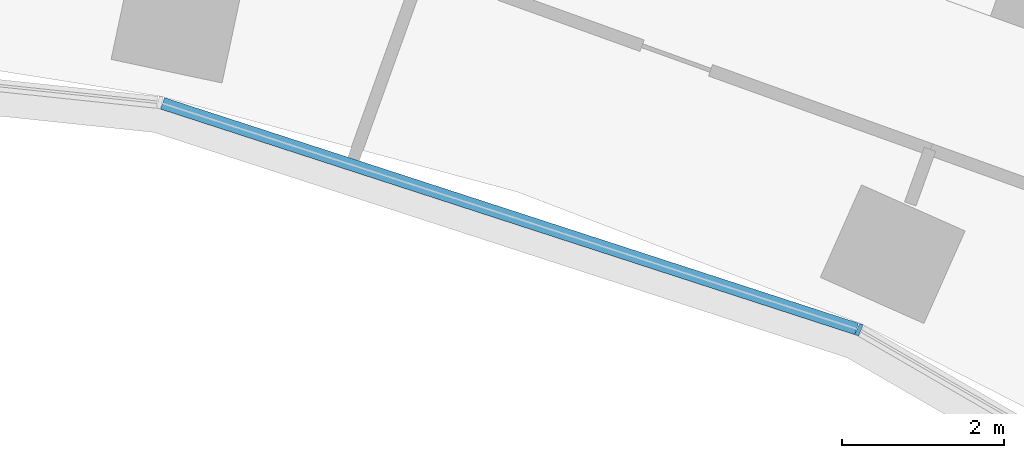
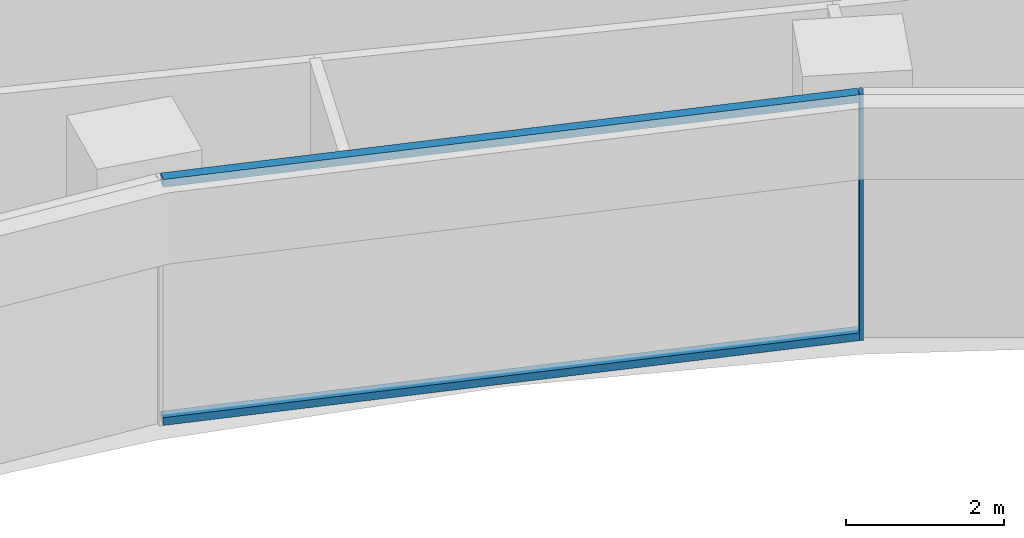
# One storey, part 11 of 25: 3 members, 1 element without a shape of its own.
"""IFC4 building model written with IfcOpenShell, lengths in metres."""

from ifc_helpers import new_model, si_unit, direction, frame, origin, origin_2d, place, context, subcontext, project, spatial, rectangle, extrude, material, layer, layer_set, material_profile, profile_set, type_object, element, aggregate, save


model = new_model("IFC4")

# Units and contexts
model_context = context("Model", 3, precision=1e-05, world=origin(), true_north=direction((0.0, 1.0)))
body_context = subcontext(model_context, "Body", "Model", "MODEL_VIEW")
ifc_project = project(units=[si_unit("LENGTHUNIT", "METRE"), si_unit("AREAUNIT", "SQUARE_METRE"), si_unit("VOLUMEUNIT", "CUBIC_METRE"), si_unit("PLANEANGLEUNIT", "RADIAN"), si_unit("MASSUNIT", "GRAM", prefix="KILO")], contexts=[model_context])

# Site, building, storey
site_placement = place(None, origin())
site = spatial("IfcSite", under=ifc_project, at=site_placement, CompositionType="ELEMENT")
building_placement = place(site_placement, origin())
building = spatial("IfcBuilding", under=site, at=building_placement, Name="Stone Belt Terrace Tower", CompositionType="ELEMENT")
storey_placement = place(building_placement, frame((0.0, 0.0, 52.800048828125)))
storey = spatial("IfcBuildingStorey", under=building, at=storey_placement, Name="L12", CompositionType="ELEMENT", Elevation=52.800048828125)

# Curtain wall, members
ifc_material = material(Name="Aluminium 6063-T6 anodised frame", Category="aluminium")
ifc_layer = layer(ifc_material, 0.14990234375)
ifc_layer_set = layer_set([ifc_layer], Name="CW-B unitised concave-face curtain wall")
curtain_wall_type = type_object("IfcCurtainWallType", Name="CW-B unitised concave-face curtain wall", PredefinedType="NOTDEFINED", material=ifc_layer_set)
curtain_wall_placement = place(storey_placement, origin())
curtain_wall = element("IfcCurtainWall", 1, at=curtain_wall_placement, inside=storey, type_object=curtain_wall_type, Name="CW-B concave face L12", PredefinedType="NOTDEFINED")
ifc_material_profile_1 = material_profile(ifc_material, rectangle(XDim=0.14990234375, YDim=0.050048828125, at=origin_2d()), Name="Aluminium 6063-T6 50x150")
ifc_profile_set_1 = profile_set([ifc_material_profile_1], Name="Aluminium 6063-T6 anodised frame")
member_type_1 = type_object("IfcMemberType", Name="CW-B mullion 50 x 150", PredefinedType="MULLION", material=ifc_profile_set_1)
member_1_placement = place(storey_placement, frame((17.662353515625, 39.67041015625, 0.0), z_axis=(0.0, 0.0, 1.0), x_axis=(0.406736643076, 0.913545457643, 0.0)))
member_1 = element("IfcMember", 2, at=member_1_placement, type_object=member_type_1, Name="CW-B mullion 8", PredefinedType="MULLION", context=body_context, shape_type="SweptSolid", body=[
    extrude(rectangle(XDim=0.14990234375, YDim=0.050048828125, at=origin_2d()), origin(), (0.0, 0.0, 1.0), 3.800048828125),
])
ifc_material_profile_2 = material_profile(ifc_material, rectangle(XDim=0.14990234375, YDim=0.1201171875, at=origin_2d()), Name="Aluminium 6063-T6 150x120")
ifc_profile_set_2 = profile_set([ifc_material_profile_2], Name="Aluminium 6063-T6 anodised frame")
member_type_2 = type_object("IfcMemberType", Name="CW-B transom 120 x 150", PredefinedType="USERDEFINED", material=ifc_profile_set_2)
member_2_placement = place(storey_placement, frame((9.0595703125, 42.465576171875, 0.06005859375), z_axis=(0.951055963285, -0.309018696359, 0.0), x_axis=(0.309018696359, 0.951055963285, 0.0)))
member_2 = element("IfcMember", 3, at=member_2_placement, type_object=member_type_2, Name="CW-B transom 7.1", ObjectType="TRANSOM", PredefinedType="USERDEFINED", context=body_context, shape_type="SweptSolid", body=[
    extrude(rectangle(XDim=0.14990234375, YDim=0.1201171875, at=origin_2d()), origin(), (0.0, 0.0, 1.0), 9.012939453125),
])
member_3_placement = place(storey_placement, frame((9.0595703125, 42.465576171875, 3.739990234375), z_axis=(0.951055963285, -0.309018696359, 0.0), x_axis=(0.309018696359, 0.951055963285, 0.0)))
member_3 = element("IfcMember", 4, at=member_3_placement, type_object=member_type_2, Name="CW-B transom 7.2", ObjectType="TRANSOM", PredefinedType="USERDEFINED", context=body_context, shape_type="SweptSolid", body=[
    extrude(rectangle(XDim=0.14990234375, YDim=0.1201171875, at=origin_2d()), origin(), (0.0, 0.0, 1.0), 9.012939453125),
])
aggregate(curtain_wall, [member_1, member_2, member_3])

save(model, "model.ifc")
